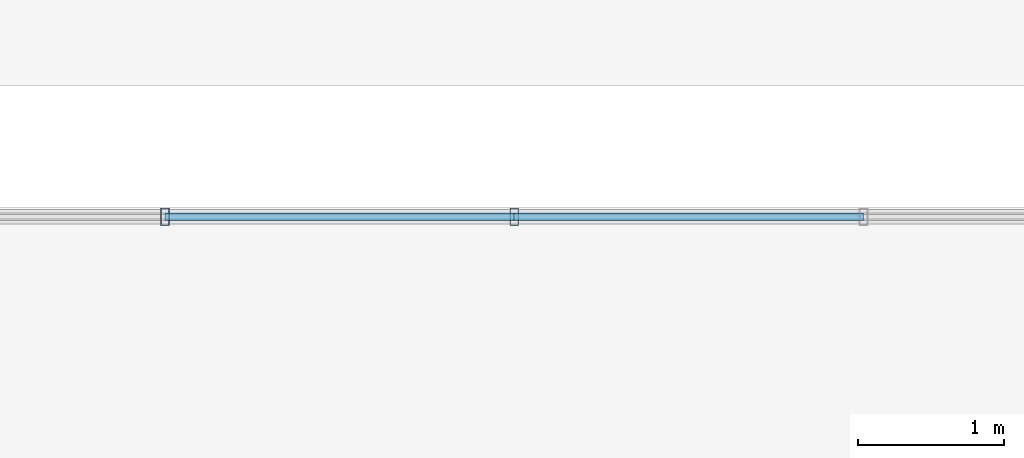
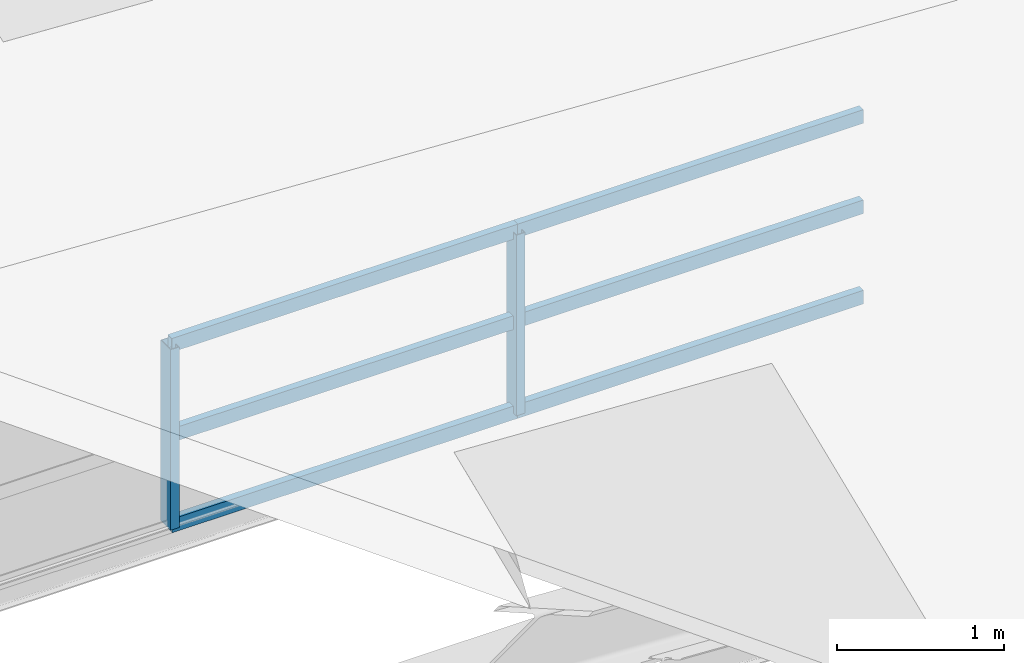
# One storey, part 65 of 141: 8 members, 1 element without a shape of its own.
"""IFC4 building model written with IfcOpenShell, lengths in metres."""

from ifc_helpers import new_model, si_unit, direction, frame, origin, origin_2d, place, context, subcontext, project, spatial, hollow_rectangle, extrude, material, material_profile, profile_set, type_object, element, aggregate, save


model = new_model("IFC4")

# Units and contexts
model_context = context("Model", 3, precision=1e-05, world=origin(), true_north=direction((0.0, 1.0)))
body_context = subcontext(model_context, "Body", "Model", "MODEL_VIEW")
ifc_project = project(units=[si_unit("LENGTHUNIT", "METRE"), si_unit("AREAUNIT", "SQUARE_METRE"), si_unit("VOLUMEUNIT", "CUBIC_METRE"), si_unit("PLANEANGLEUNIT", "RADIAN"), si_unit("MASSUNIT", "GRAM", prefix="KILO")], contexts=[model_context])

# Site, building, storey
site_placement = place(None, origin())
site = spatial("IfcSite", under=ifc_project, at=site_placement, CompositionType="ELEMENT")
building_placement = place(site_placement, origin())
building = spatial("IfcBuilding", under=site, at=building_placement, Name="Sundkrona Museum", CompositionType="ELEMENT")
storey_placement = place(building_placement, frame((0.0, 0.0, 34.0)))
storey = spatial("IfcBuildingStorey", under=building, at=storey_placement, Name="RF", CompositionType="ELEMENT", Elevation=34.0)

# Curtain wall, members
ifc_material_1 = material(Name="Unitised Aluminium-Steel and Ceramic-Clad Curtain Walling", Category="steel")
curtain_wall_type = type_object("IfcCurtainWallType", Name="CW-SW-240x13", PredefinedType="NOTDEFINED", material=ifc_material_1)
curtain_wall_placement = place(storey_placement, origin())
curtain_wall = element("IfcCurtainWall", 1, at=curtain_wall_placement, inside=storey, type_object=curtain_wall_type, Name="Sawtooth Bay 4 East North-Light Clerestory", PredefinedType="NOTDEFINED")
ifc_material_2 = material(Name="Aluminium EN AW-6060 T66", Category="aluminium")
ifc_material_profile_1 = material_profile(ifc_material_2, hollow_rectangle(XDim=0.06005859375, YDim=0.1201171875, WallThickness=0.0048828125, at=origin_2d()), Name="RHS 120x60x5.0")
ifc_profile_set_1 = profile_set([ifc_material_profile_1], Name="Aluminium EN AW-6060 T66")
member_type_1 = type_object("IfcMemberType", Name="ML-120", PredefinedType="MULLION", material=ifc_profile_set_1)
member_1_placement = place(storey_placement, frame((153.610107421875, 26.5, 3.472900390625), z_axis=(0.0, 0.0, 1.0), x_axis=(1.0, 0.0, 0.0)))
member_1 = element("IfcMember", 2, at=member_1_placement, type_object=member_type_1, Name="CW-RF-SAW-04E Mullion 05", PredefinedType="MULLION", context=body_context, shape_type="SweptSolid", body=[
    extrude(hollow_rectangle(XDim=0.06005859375, YDim=0.1201171875, WallThickness=0.0048828125, at=origin_2d()), origin(), (0.0, 0.0, 1.0), 1.320068359375),
])
member_2_placement = place(storey_placement, frame((156.0, 26.5, 3.472900390625), z_axis=(0.0, 0.0, 1.0), x_axis=(1.0, 0.0, 0.0)))
member_2 = element("IfcMember", 3, at=member_2_placement, type_object=member_type_1, Name="CW-RF-SAW-04E Mullion 06", PredefinedType="MULLION", context=body_context, shape_type="SweptSolid", body=[
    extrude(hollow_rectangle(XDim=0.06005859375, YDim=0.1201171875, WallThickness=0.0048828125, at=origin_2d()), origin(), (0.0, 0.0, 1.0), 1.320068359375),
])
ifc_material_profile_2 = material_profile(ifc_material_2, hollow_rectangle(XDim=0.050048828125, YDim=0.10009765625, WallThickness=0.0048828125, at=origin_2d()), Name="RHS 100x50x5.0")
ifc_profile_set_2 = profile_set([ifc_material_profile_2], Name="Aluminium EN AW-6060 T66")
member_type_2 = type_object("IfcMemberType", Name="TR-100", PredefinedType="USERDEFINED", material=ifc_profile_set_2)
member_3_placement = place(storey_placement, frame((153.610107421875, 26.5, 3.472900390625), z_axis=(1.0, 0.0, 0.0), x_axis=(0.0, 1.0, 0.0)))
member_3 = element("IfcMember", 4, at=member_3_placement, type_object=member_type_2, Name="CW-RF-SAW-04E Transom 13", ObjectType="TRANSOM", PredefinedType="USERDEFINED", context=body_context, shape_type="SweptSolid", body=[
    extrude(hollow_rectangle(XDim=0.050048828125, YDim=0.10009765625, WallThickness=0.0048828125, at=origin_2d()), origin(), (0.0, 0.0, 1.0), 2.389892578125),
])
member_4_placement = place(storey_placement, frame((153.610107421875, 26.5, 4.133056640625), z_axis=(1.0, 0.0, 0.0), x_axis=(0.0, 1.0, 0.0)))
member_4 = element("IfcMember", 5, at=member_4_placement, type_object=member_type_2, Name="CW-RF-SAW-04E Transom 14", ObjectType="TRANSOM", PredefinedType="USERDEFINED", context=body_context, shape_type="SweptSolid", body=[
    extrude(hollow_rectangle(XDim=0.050048828125, YDim=0.10009765625, WallThickness=0.0048828125, at=origin_2d()), origin(), (0.0, 0.0, 1.0), 2.389892578125),
])
member_5_placement = place(storey_placement, frame((153.610107421875, 26.5, 4.79296875), z_axis=(1.0, 0.0, 0.0), x_axis=(0.0, 1.0, 0.0)))
member_5 = element("IfcMember", 6, at=member_5_placement, type_object=member_type_2, Name="CW-RF-SAW-04E Transom 15", ObjectType="TRANSOM", PredefinedType="USERDEFINED", context=body_context, shape_type="SweptSolid", body=[
    extrude(hollow_rectangle(XDim=0.050048828125, YDim=0.10009765625, WallThickness=0.0048828125, at=origin_2d()), origin(), (0.0, 0.0, 1.0), 2.389892578125),
])
member_6_placement = place(storey_placement, frame((156.0, 26.5, 3.472900390625), z_axis=(1.0, 0.0, 0.0), x_axis=(0.0, 1.0, 0.0)))
member_6 = element("IfcMember", 7, at=member_6_placement, type_object=member_type_2, Name="CW-RF-SAW-04E Transom 16", ObjectType="TRANSOM", PredefinedType="USERDEFINED", context=body_context, shape_type="SweptSolid", body=[
    extrude(hollow_rectangle(XDim=0.050048828125, YDim=0.10009765625, WallThickness=0.0048828125, at=origin_2d()), origin(), (0.0, 0.0, 1.0), 2.389892578125),
])
member_7_placement = place(storey_placement, frame((156.0, 26.5, 4.133056640625), z_axis=(1.0, 0.0, 0.0), x_axis=(0.0, 1.0, 0.0)))
member_7 = element("IfcMember", 8, at=member_7_placement, type_object=member_type_2, Name="CW-RF-SAW-04E Transom 17", ObjectType="TRANSOM", PredefinedType="USERDEFINED", context=body_context, shape_type="SweptSolid", body=[
    extrude(hollow_rectangle(XDim=0.050048828125, YDim=0.10009765625, WallThickness=0.0048828125, at=origin_2d()), origin(), (0.0, 0.0, 1.0), 2.389892578125),
])
member_8_placement = place(storey_placement, frame((156.0, 26.5, 4.79296875), z_axis=(1.0, 0.0, 0.0), x_axis=(0.0, 1.0, 0.0)))
member_8 = element("IfcMember", 9, at=member_8_placement, type_object=member_type_2, Name="CW-RF-SAW-04E Transom 18", ObjectType="TRANSOM", PredefinedType="USERDEFINED", context=body_context, shape_type="SweptSolid", body=[
    extrude(hollow_rectangle(XDim=0.050048828125, YDim=0.10009765625, WallThickness=0.0048828125, at=origin_2d()), origin(), (0.0, 0.0, 1.0), 2.389892578125),
])
aggregate(curtain_wall, [member_1, member_2, member_3, member_4, member_5, member_6, member_7, member_8])

save(model, "model.ifc")
